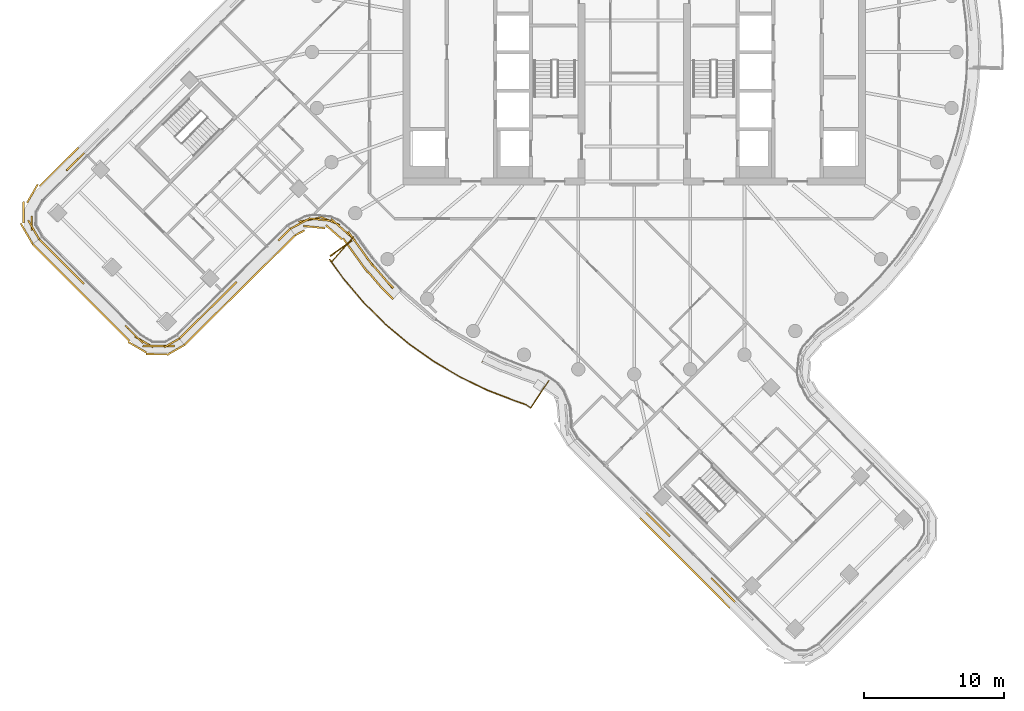
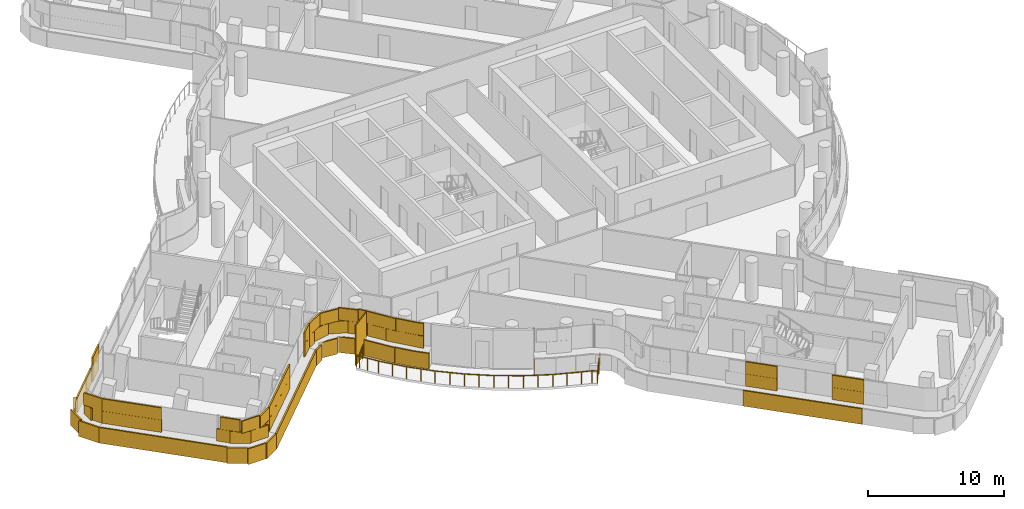
# One storey, part 24 of 31: 5 coverings, 1 railing, 1 shading device.
"""IFC4 building model written with IfcOpenShell, lengths in metres."""

from ifc_helpers import new_model, si_unit, direction, frame, origin, origin_2d, place, context, subcontext, project, spatial, rectangle, circle, extrude, material, layer, layer_set, type_object, element, save


model = new_model("IFC4")

# Units and contexts
model_context = context("Model", 3, precision=1e-05, world=origin(), true_north=direction((0.0, 1.0)))
body_context = subcontext(model_context, "Body", "Model", "MODEL_VIEW")
ifc_project = project(units=[si_unit("LENGTHUNIT", "METRE"), si_unit("AREAUNIT", "SQUARE_METRE"), si_unit("VOLUMEUNIT", "CUBIC_METRE"), si_unit("PLANEANGLEUNIT", "RADIAN"), si_unit("MASSUNIT", "GRAM", prefix="KILO")], contexts=[model_context])

# Site, building, storey
site_placement = place(None, origin())
site = spatial("IfcSite", under=ifc_project, at=site_placement, CompositionType="ELEMENT")
building_placement = place(site_placement, origin())
building = spatial("IfcBuilding", under=site, at=building_placement, Name="Tamarind Cross Interchange Tower", CompositionType="ELEMENT")
storey_placement = place(building_placement, frame((0.0, 0.0, 196.89990234375)))
storey = spatial("IfcBuildingStorey", under=building, at=storey_placement, Name="L49", CompositionType="ELEMENT", Elevation=196.89990234375)

# Railing
ifc_material_1 = material(Name="Stainless steel and laminated glass", Category="steel")
railing_type = type_object("IfcRailingType", Name="Balcony guard", PredefinedType="BALUSTRADE", material=ifc_material_1)
railing_placement = place(storey_placement, frame((-20.047119140625, -13.2080078125, 0.0)))
element("IfcRailing", 1, at=railing_placement, inside=storey, type_object=railing_type, Name="Balcony guard 10", PredefinedType="BALUSTRADE", context=body_context, shape_type="SweptSolid", body=[
    extrude(circle(Radius=0.02490234375, at=origin_2d()), frame((0.0, 0.0, 1.0751953125), z_axis=(-0.662977956452, -0.748638917809, 0.0), x_axis=(0.748638917809, -0.662977956452, 0.0)), (0.0, 0.0, 1.0), 2.320068359375),
    extrude(circle(Radius=0.02490234375, at=origin_2d()), frame((-1.5380859375, -1.73681640625, 1.0751953125), z_axis=(-0.748818985157, 0.662774567608, 0.0), x_axis=(-0.662774567608, -0.748818985157, 0.0)), (0.0, 0.0, 1.0), 0.2099609375),
    extrude(circle(Radius=0.02490234375, at=origin_2d()), frame((-1.6953125, -1.59765625, 1.0751953125), z_axis=(0.584596483779, -0.811324196085, 0.0), x_axis=(0.811324196085, 0.584596483779, 0.0)), (0.0, 0.0, 1.0), 1.785400390625),
    extrude(circle(Radius=0.02490234375, at=origin_2d()), frame((-0.651611328125, -3.046142578125, 1.0751953125), z_axis=(0.649598066146, -0.760277812684, 0.0), x_axis=(0.760277812684, 0.649598066146, 0.0)), (0.0, 0.0, 1.0), 2.175048828125),
    extrude(circle(Radius=0.02490234375, at=origin_2d()), frame((0.76123046875, -4.69970703125, 1.0751953125), z_axis=(0.710130717242, -0.704069857635, 0.0), x_axis=(0.704069857635, 0.710130717242, 0.0)), (0.0, 0.0, 1.0), 2.17529296875),
    extrude(circle(Radius=0.02490234375, at=origin_2d()), frame((2.305908203125, -6.231201171875, 1.0751953125), z_axis=(0.765879503455, -0.642984125922, 0.0), x_axis=(0.642984125922, 0.765879503455, 0.0)), (0.0, 0.0, 1.0), 2.17529296875),
    extrude(circle(Radius=0.02490234375, at=origin_2d()), frame((3.971923828125, -7.6298828125, 1.0751953125), z_axis=(0.81632657602, -0.577590617379, 0.0), x_axis=(0.577590617379, 0.81632657602, 0.0)), (0.0, 0.0, 1.0), 2.175048828125),
    extrude(circle(Radius=0.02490234375, at=origin_2d()), frame((5.74755859375, -8.88623046875, 1.0751953125), z_axis=(0.861223570169, -0.508226290333, 0.0), x_axis=(0.508226290333, 0.861223570169, 0.0)), (0.0, 0.0, 1.0), 2.175048828125),
    extrude(circle(Radius=0.02490234375, at=origin_2d()), frame((7.620849609375, -9.99169921875, 1.0751953125), z_axis=(0.90029690694, -0.435276325285, 0.0), x_axis=(0.435276325285, 0.90029690694, 0.0)), (0.0, 0.0, 1.0), 2.175048828125),
    extrude(circle(Radius=0.02490234375, at=origin_2d()), frame((9.5791015625, -10.9384765625, 1.0751953125), z_axis=(0.933140735543, -0.359511290045, 0.0), x_axis=(0.359511290045, 0.933140735543, 0.0)), (0.0, 0.0, 1.0), 2.120849609375),
    extrude(circle(Radius=0.02490234375, at=origin_2d()), frame((11.55810546875, -11.700927734375, 1.0751953125), z_axis=(0.945402411711, -0.325905323568, 0.0), x_axis=(0.325905323568, 0.945402411711, 0.0)), (0.0, 0.0, 1.0), 0.793212890625),
    extrude(circle(Radius=0.02490234375, at=origin_2d()), frame((12.30810546875, -11.95947265625, 1.0751953125), z_axis=(0.83078623313, -0.556591623042, 0.0), x_axis=(0.556591623042, 0.83078623313, 0.0)), (0.0, 0.0, 1.0), 0.416748046875),
    extrude(circle(Radius=0.02490234375, at=origin_2d()), frame((12.654296875, -12.19140625, 1.0751953125), z_axis=(0.556689966184, 0.830720338953, 0.0), x_axis=(-0.830720338953, 0.556689966184, 0.0)), (0.0, 0.0, 1.0), 2.320068359375),
    extrude(circle(Radius=0.02001953125, at=origin_2d()), origin(), (0.0, 0.0, 1.0), 1.050048828125),
    extrude(circle(Radius=0.02001953125, at=origin_2d()), frame((-0.76904296875, -0.868408203125, 0.0)), (0.0, 0.0, 1.0), 1.050048828125),
    extrude(circle(Radius=0.02001953125, at=origin_2d()), frame((-1.5380859375, -1.73681640625, 0.0)), (0.0, 0.0, 1.0), 1.050048828125),
    extrude(circle(Radius=0.02001953125, at=origin_2d()), frame((-1.6953125, -1.59765625, 0.0)), (0.0, 0.0, 1.0), 1.050048828125),
    extrude(circle(Radius=0.02001953125, at=origin_2d()), frame((-1.17333984375, -2.32177734375, 0.0)), (0.0, 0.0, 1.0), 1.050048828125),
    extrude(circle(Radius=0.02001953125, at=origin_2d()), frame((-0.651611328125, -3.046142578125, 0.0)), (0.0, 0.0, 1.0), 1.050048828125),
    extrude(circle(Radius=0.02001953125, at=origin_2d()), frame((0.0546875, -3.873046875, 0.0)), (0.0, 0.0, 1.0), 1.050048828125),
    extrude(circle(Radius=0.02001953125, at=origin_2d()), frame((0.76123046875, -4.69970703125, 0.0)), (0.0, 0.0, 1.0), 1.050048828125),
    extrude(circle(Radius=0.02001953125, at=origin_2d()), frame((1.53369140625, -5.46533203125, 0.0)), (0.0, 0.0, 1.0), 1.050048828125),
    extrude(circle(Radius=0.02001953125, at=origin_2d()), frame((2.305908203125, -6.231201171875, 0.0)), (0.0, 0.0, 1.0), 1.050048828125),
    extrude(circle(Radius=0.02001953125, at=origin_2d()), frame((3.138916015625, -6.9306640625, 0.0)), (0.0, 0.0, 1.0), 1.050048828125),
    extrude(circle(Radius=0.02001953125, at=origin_2d()), frame((3.971923828125, -7.6298828125, 0.0)), (0.0, 0.0, 1.0), 1.050048828125),
    extrude(circle(Radius=0.02001953125, at=origin_2d()), frame((4.85986328125, -8.258056640625, 0.0)), (0.0, 0.0, 1.0), 1.050048828125),
    extrude(circle(Radius=0.02001953125, at=origin_2d()), frame((5.74755859375, -8.88623046875, 0.0)), (0.0, 0.0, 1.0), 1.050048828125),
    extrude(circle(Radius=0.02001953125, at=origin_2d()), frame((6.68408203125, -9.43896484375, 0.0)), (0.0, 0.0, 1.0), 1.050048828125),
    extrude(circle(Radius=0.02001953125, at=origin_2d()), frame((7.620849609375, -9.99169921875, 0.0)), (0.0, 0.0, 1.0), 1.050048828125),
    extrude(circle(Radius=0.02001953125, at=origin_2d()), frame((8.60009765625, -10.465087890625, 0.0)), (0.0, 0.0, 1.0), 1.050048828125),
    extrude(circle(Radius=0.02001953125, at=origin_2d()), frame((9.5791015625, -10.9384765625, 0.0)), (0.0, 0.0, 1.0), 1.050048828125),
    extrude(circle(Radius=0.02001953125, at=origin_2d()), frame((10.568603515625, -11.31982421875, 0.0)), (0.0, 0.0, 1.0), 1.050048828125),
    extrude(circle(Radius=0.02001953125, at=origin_2d()), frame((11.55810546875, -11.700927734375, 0.0)), (0.0, 0.0, 1.0), 1.050048828125),
    extrude(circle(Radius=0.02001953125, at=origin_2d()), frame((12.30810546875, -11.95947265625, 0.0)), (0.0, 0.0, 1.0), 1.050048828125),
    extrude(circle(Radius=0.02001953125, at=origin_2d()), frame((12.654296875, -12.19140625, 0.0)), (0.0, 0.0, 1.0), 1.050048828125),
    extrude(circle(Radius=0.02001953125, at=origin_2d()), frame((13.300048828125, -11.227783203125, 0.0)), (0.0, 0.0, 1.0), 1.050048828125),
    extrude(circle(Radius=0.02001953125, at=origin_2d()), frame((13.94580078125, -10.26416015625, 0.0)), (0.0, 0.0, 1.0), 1.050048828125),
])

# Shading device
ifc_material_2 = material(Name="Bronze-finish aluminium louvre", Category="aluminium")
ifc_layer_1 = layer(ifc_material_2, 0.080078125)
ifc_layer_set_1 = layer_set([ifc_layer_1], Name="Bronze-finish aluminium louvre")
shading_device_type = type_object("IfcShadingDeviceType", Name="Operable louvre bay", PredefinedType="JALOUSIE", material=ifc_layer_set_1)
shading_device_placement = place(storey_placement, origin())
element("IfcShadingDevice", 2, at=shading_device_placement, inside=storey, type_object=shading_device_type, Name="LVR-L49-BAL10", PredefinedType="JALOUSIE", context=body_context, shape_type="SweptSolid", body=[
    extrude(rectangle(XDim=1.89990234375, YDim=0.080078125, at=origin_2d()), frame((-20.930908203125, -14.01611328125, 0.0), z_axis=(0.0, 0.0, 1.0), x_axis=(-0.811294273423, -0.584638009293, 0.0)), (0.0, 0.0, 1.0), 3.60009765625),
])

# Coverings
ifc_material_3 = material(Name="Terracotta", Category="masonry")
ifc_layer_2 = layer(ifc_material_3, 0.1201171875)
ifc_layer_set_2 = layer_set([ifc_layer_2], Name="Terracotta")
covering_type = type_object("IfcCoveringType", Name="Terracotta baguette screen unit", PredefinedType="MOLDING", material=ifc_layer_set_2)
covering_1_placement = place(storey_placement, origin())
element("IfcCovering", 3, at=covering_1_placement, inside=storey, type_object=covering_type, Name="SCR-L49-07-02", PredefinedType="MOLDING", context=body_context, shape_type="SweptSolid", body=[
    extrude(rectangle(XDim=1.009521484375, YDim=0.1201171875, at=origin_2d()), frame((-39.6142578125, -7.554931640625, 1.404296875), z_axis=(0.0, 0.0, 1.0), x_axis=(-0.708014520272, -0.706197875304, 0.0)), (0.0, 0.0, 1.0), 1.092041015625),
    extrude(rectangle(XDim=0.800537109375, YDim=0.1201171875, at=origin_2d()), frame((-40.247802734375, -8.18701171875, 1.404296875), z_axis=(0.0, 0.0, 1.0), x_axis=(-0.708014520272, -0.706197875304, 0.0)), (0.0, 0.0, 1.0), 1.092041015625),
    extrude(rectangle(XDim=1.01953125, YDim=0.1201171875, at=origin_2d()), frame((-43.0224609375, -12.214599609375, 1.404296875), z_axis=(0.0, 0.0, 1.0), x_axis=(-0.001284561976, -0.99999917495, 0.0)), (0.0, 0.0, 1.0), 1.092041015625),
    extrude(rectangle(XDim=0.79052734375, YDim=0.1201171875, at=origin_2d()), frame((-42.68310546875, -13.018798828125, 1.404296875), z_axis=(0.0, 0.0, 1.0), x_axis=(0.498887124171, -0.866666970258, 0.0)), (0.0, 0.0, 1.0), 1.092041015625),
    extrude(rectangle(XDim=0.259521484375, YDim=0.1201171875, at=origin_2d()), frame((-39.3486328125, -7.290283203125, 2.50390625), z_axis=(0.0, 0.0, 1.0), x_axis=(-0.708014520272, -0.706197875304, 0.0)), (0.0, 0.0, 1.0), 1.092041015625),
    extrude(rectangle(XDim=1.52001953125, YDim=0.1201171875, at=origin_2d()), frame((-39.968017578125, -7.907958984375, 2.50390625), z_axis=(0.0, 0.0, 1.0), x_axis=(-0.708014520272, -0.706197875304, 0.0)), (0.0, 0.0, 1.0), 1.092041015625),
    extrude(rectangle(XDim=1.52001953125, YDim=0.1201171875, at=origin_2d()), frame((-42.877685546875, -12.6806640625, 2.50390625), z_axis=(0.0, 0.0, 1.0), x_axis=(0.498887124171, -0.866666970258, 0.0)), (0.0, 0.0, 1.0), 1.092041015625),
    extrude(rectangle(XDim=0.04052734375, YDim=0.1201171875, at=origin_2d()), frame((-42.495849609375, -13.34375, 2.50390625), z_axis=(0.0, 0.0, 1.0), x_axis=(0.498887124171, -0.866666970258, 0.0)), (0.0, 0.0, 1.0), 1.092041015625),
    extrude(rectangle(XDim=0.8935546875, YDim=0.1201171875, at=origin_2d()), frame((-40.0126953125, -7.141845703125, 0.004150390625), z_axis=(0.0, 0.0, 1.0), x_axis=(-0.708014520272, -0.706197875304, 0.0)), (0.0, 0.0, 1.0), 1.39208984375),
    extrude(rectangle(XDim=1.52001953125, YDim=0.1201171875, at=origin_2d()), frame((-40.852783203125, -7.979736328125, 0.004150390625), z_axis=(0.0, 0.0, 1.0), x_axis=(-0.708014520272, -0.706197875304, 0.0)), (0.0, 0.0, 1.0), 1.39208984375),
    extrude(rectangle(XDim=1.52001953125, YDim=0.1201171875, at=origin_2d()), frame((-41.914794921875, -9.0390625, 0.004150390625), z_axis=(0.0, 0.0, 1.0), x_axis=(-0.708014520272, -0.706197875304, 0.0)), (0.0, 0.0, 1.0), 1.39208984375),
    extrude(rectangle(XDim=1.52001953125, YDim=0.1201171875, at=origin_2d()), frame((-42.967041015625, -10.10595703125, 0.004150390625), z_axis=(0.0, 0.0, 1.0), x_axis=(-0.501112050779, -0.865382408282, 0.0)), (0.0, 0.0, 1.0), 1.39208984375),
    extrude(rectangle(XDim=1.52001953125, YDim=0.1201171875, at=origin_2d()), frame((-43.595458984375, -11.437255859375, 0.004150390625), z_axis=(0.0, 0.0, 1.0), x_axis=(-0.001284561976, -0.99999917495, 0.0)), (0.0, 0.0, 1.0), 1.39208984375),
    extrude(rectangle(XDim=1.52001953125, YDim=0.1201171875, at=origin_2d()), frame((-43.419677734375, -12.889892578125, 0.004150390625), z_axis=(0.0, 0.0, 1.0), x_axis=(0.498887124171, -0.866666970258, 0.0)), (0.0, 0.0, 1.0), 1.39208984375),
    extrude(rectangle(XDim=0.205078125, YDim=0.1201171875, at=origin_2d()), frame((-42.999267578125, -13.6201171875, 0.004150390625), z_axis=(0.0, 0.0, 1.0), x_axis=(0.498887124171, -0.866666970258, 0.0)), (0.0, 0.0, 1.0), 1.39208984375),
])
covering_2_placement = place(storey_placement, origin())
element("IfcCovering", 4, at=covering_2_placement, inside=storey, type_object=covering_type, Name="SCR-L49-08-00", PredefinedType="MOLDING", context=body_context, shape_type="SweptSolid", body=[
    extrude(rectangle(XDim=0.760009765625, YDim=0.1201171875, at=origin_2d()), frame((-42.2236328125, -13.62255859375, 1.404296875), z_axis=(0.0, 0.0, 1.0), x_axis=(0.706197875304, -0.708014520272, 0.0)), (0.0, 0.0, 1.0), 1.092041015625),
    extrude(rectangle(XDim=1.52001953125, YDim=0.1201171875, at=origin_2d()), frame((-41.428955078125, -14.4189453125, 1.404296875), z_axis=(0.0, 0.0, 1.0), x_axis=(0.706197875304, -0.708014520272, 0.0)), (0.0, 0.0, 1.0), 1.092041015625),
    extrude(rectangle(XDim=1.52001953125, YDim=0.1201171875, at=origin_2d()), frame((-40.36962890625, -15.48095703125, 1.404296875), z_axis=(0.0, 0.0, 1.0), x_axis=(0.706197875304, -0.708014520272, 0.0)), (0.0, 0.0, 1.0), 1.092041015625),
    extrude(rectangle(XDim=0.78466796875, YDim=0.1201171875, at=origin_2d()), frame((-39.566650390625, -16.286376953125, 1.404296875), z_axis=(0.0, 0.0, 1.0), x_axis=(0.706197875304, -0.708014520272, 0.0)), (0.0, 0.0, 1.0), 1.092041015625),
    extrude(rectangle(XDim=1.03515625, YDim=0.1201171875, at=origin_2d()), frame((-35.96484375, -19.897216796875, 1.404296875), z_axis=(0.0, 0.0, 1.0), x_axis=(0.706197875304, -0.708014520272, 0.0)), (0.0, 0.0, 1.0), 1.092041015625),
    extrude(rectangle(XDim=1.52001953125, YDim=0.1201171875, at=origin_2d()), frame((-34.99755859375, -20.692626953125, 1.404296875), z_axis=(0.0, 0.0, 1.0), x_axis=(0.865382408282, -0.501112050779, 0.0)), (0.0, 0.0, 1.0), 1.092041015625),
    extrude(rectangle(XDim=1.52001953125, YDim=0.1201171875, at=origin_2d()), frame((-33.57763671875, -20.991943359375, 1.404296875), z_axis=(0.0, 0.0, 1.0), x_axis=(0.99999917495, -0.001284561976, 0.0)), (0.0, 0.0, 1.0), 1.092041015625),
    extrude(rectangle(XDim=0.509521484375, YDim=0.1201171875, at=origin_2d()), frame((-32.687255859375, -20.58251953125, 1.404296875), z_axis=(0.0, 0.0, 1.0), x_axis=(0.866666970258, 0.498887124171, 0.0)), (0.0, 0.0, 1.0), 1.092041015625),
    extrude(rectangle(XDim=1.510009765625, YDim=0.1201171875, at=origin_2d()), frame((-41.958740234375, -13.887939453125, 2.50390625), z_axis=(0.0, 0.0, 1.0), x_axis=(0.706197875304, -0.708014520272, 0.0)), (0.0, 0.0, 1.0), 1.092041015625),
    extrude(rectangle(XDim=1.52001953125, YDim=0.1201171875, at=origin_2d()), frame((-40.8994140625, -14.949951171875, 2.50390625), z_axis=(0.0, 0.0, 1.0), x_axis=(0.706197875304, -0.708014520272, 0.0)), (0.0, 0.0, 1.0), 1.092041015625),
    extrude(rectangle(XDim=1.52001953125, YDim=0.1201171875, at=origin_2d()), frame((-39.840087890625, -16.01220703125, 2.50390625), z_axis=(0.0, 0.0, 1.0), x_axis=(0.706197875304, -0.708014520272, 0.0)), (0.0, 0.0, 1.0), 1.092041015625),
    extrude(rectangle(XDim=1.52001953125, YDim=0.1201171875, at=origin_2d()), frame((-35.60302734375, -20.26025390625, 2.50390625), z_axis=(0.0, 0.0, 1.0), x_axis=(0.706197875304, -0.708014520272, 0.0)), (0.0, 0.0, 1.0), 1.092041015625),
    extrude(rectangle(XDim=1.52001953125, YDim=0.1201171875, at=origin_2d()), frame((-34.32763671875, -20.990966796875, 2.50390625), z_axis=(0.0, 0.0, 1.0), x_axis=(0.99999917495, -0.001284561976, 0.0)), (0.0, 0.0, 1.0), 1.092041015625),
    extrude(rectangle(XDim=1.259521484375, YDim=0.1201171875, at=origin_2d()), frame((-33.01220703125, -20.76953125, 2.50390625), z_axis=(0.0, 0.0, 1.0), x_axis=(0.866666970258, 0.498887124171, 0.0)), (0.0, 0.0, 1.0), 1.092041015625),
    extrude(rectangle(XDim=0.760009765625, YDim=0.1201171875, at=origin_2d()), frame((-42.6796875, -13.97802734375, 0.004150390625), z_axis=(0.0, 0.0, 1.0), x_axis=(0.706197875304, -0.708014520272, 0.0)), (0.0, 0.0, 1.0), 1.39208984375),
    extrude(rectangle(XDim=1.52001953125, YDim=0.1201171875, at=origin_2d()), frame((-41.888916015625, -14.77099609375, 0.004150390625), z_axis=(0.0, 0.0, 1.0), x_axis=(0.706197875304, -0.708014520272, 0.0)), (0.0, 0.0, 1.0), 1.39208984375),
    extrude(rectangle(XDim=1.52001953125, YDim=0.1201171875, at=origin_2d()), frame((-40.82958984375, -15.8330078125, 0.004150390625), z_axis=(0.0, 0.0, 1.0), x_axis=(0.706197875304, -0.708014520272, 0.0)), (0.0, 0.0, 1.0), 1.39208984375),
    extrude(rectangle(XDim=1.52001953125, YDim=0.1201171875, at=origin_2d()), frame((-39.770263671875, -16.89501953125, 0.004150390625), z_axis=(0.0, 0.0, 1.0), x_axis=(0.706197875304, -0.708014520272, 0.0)), (0.0, 0.0, 1.0), 1.39208984375),
    extrude(rectangle(XDim=1.52001953125, YDim=0.1201171875, at=origin_2d()), frame((-38.7109375, -17.95703125, 0.004150390625), z_axis=(0.0, 0.0, 1.0), x_axis=(0.706197875304, -0.708014520272, 0.0)), (0.0, 0.0, 1.0), 1.39208984375),
    extrude(rectangle(XDim=1.52001953125, YDim=0.1201171875, at=origin_2d()), frame((-37.651611328125, -19.01904296875, 0.004150390625), z_axis=(0.0, 0.0, 1.0), x_axis=(0.706197875304, -0.708014520272, 0.0)), (0.0, 0.0, 1.0), 1.39208984375),
    extrude(rectangle(XDim=1.52001953125, YDim=0.1201171875, at=origin_2d()), frame((-36.59228515625, -20.0810546875, 0.004150390625), z_axis=(0.0, 0.0, 1.0), x_axis=(0.706197875304, -0.708014520272, 0.0)), (0.0, 0.0, 1.0), 1.39208984375),
    extrude(rectangle(XDim=1.52001953125, YDim=0.1201171875, at=origin_2d()), frame((-35.481201171875, -21.07568359375, 0.004150390625), z_axis=(0.0, 0.0, 1.0), x_axis=(0.865382408282, -0.501112050779, 0.0)), (0.0, 0.0, 1.0), 1.39208984375),
    extrude(rectangle(XDim=1.52001953125, YDim=0.1201171875, at=origin_2d()), frame((-34.112548828125, -21.565185546875, 0.004150390625), z_axis=(0.0, 0.0, 1.0), x_axis=(0.99999917495, -0.001284561976, 0.0)), (0.0, 0.0, 1.0), 1.39208984375),
    extrude(rectangle(XDim=1.42578125, YDim=0.1201171875, at=origin_2d()), frame((-32.73779296875, -21.27392578125, 0.004150390625), z_axis=(0.0, 0.0, 1.0), x_axis=(0.866666970258, 0.498887124171, 0.0)), (0.0, 0.0, 1.0), 1.39208984375),
])
covering_3_placement = place(storey_placement, origin())
element("IfcCovering", 5, at=covering_3_placement, inside=storey, type_object=covering_type, Name="SCR-L49-09-00", PredefinedType="MOLDING", context=body_context, shape_type="SweptSolid", body=[
    extrude(rectangle(XDim=0.760009765625, YDim=0.1201171875, at=origin_2d()), frame((-32.204345703125, -20.194091796875, 1.404296875), z_axis=(0.0, 0.0, 1.0), x_axis=(0.710750718006, 0.703443968525, 0.0)), (0.0, 0.0, 1.0), 1.092041015625),
    extrude(rectangle(XDim=1.52001953125, YDim=0.1201171875, at=origin_2d()), frame((-31.40478515625, -19.402587890625, 1.404296875), z_axis=(0.0, 0.0, 1.0), x_axis=(0.710750718006, 0.703443968525, 0.0)), (0.0, 0.0, 1.0), 1.092041015625),
    extrude(rectangle(XDim=1.52001953125, YDim=0.1201171875, at=origin_2d()), frame((-30.338623046875, -18.347412109375, 1.404296875), z_axis=(0.0, 0.0, 1.0), x_axis=(0.710750718006, 0.703443968525, 0.0)), (0.0, 0.0, 1.0), 1.092041015625),
    extrude(rectangle(XDim=1.52001953125, YDim=0.1201171875, at=origin_2d()), frame((-29.2724609375, -17.292236328125, 1.404296875), z_axis=(0.0, 0.0, 1.0), x_axis=(0.710750718006, 0.703443968525, 0.0)), (0.0, 0.0, 1.0), 1.092041015625),
    extrude(rectangle(XDim=0.5048828125, YDim=0.1201171875, at=origin_2d()), frame((-28.5634765625, -16.590576171875, 1.404296875), z_axis=(0.0, 0.0, 1.0), x_axis=(0.710750718006, 0.703443968525, 0.0)), (0.0, 0.0, 1.0), 1.092041015625),
    extrude(rectangle(XDim=1.19677734375, YDim=0.1201171875, at=origin_2d()), frame((-24.97705078125, -13.041259765625, 1.404296875), z_axis=(0.0, 0.0, 1.0), x_axis=(0.710750718006, 0.703443968525, 0.0)), (0.0, 0.0, 1.0), 1.092041015625),
    extrude(rectangle(XDim=1.510009765625, YDim=0.1201171875, at=origin_2d()), frame((-31.937744140625, -19.93017578125, 2.50390625), z_axis=(0.0, 0.0, 1.0), x_axis=(0.710750718006, 0.703443968525, 0.0)), (0.0, 0.0, 1.0), 1.092041015625),
    extrude(rectangle(XDim=1.52001953125, YDim=0.1201171875, at=origin_2d()), frame((-30.87158203125, -18.875, 2.50390625), z_axis=(0.0, 0.0, 1.0), x_axis=(0.710750718006, 0.703443968525, 0.0)), (0.0, 0.0, 1.0), 1.092041015625),
    extrude(rectangle(XDim=1.52001953125, YDim=0.1201171875, at=origin_2d()), frame((-29.805419921875, -17.81982421875, 2.50390625), z_axis=(0.0, 0.0, 1.0), x_axis=(0.710750718006, 0.703443968525, 0.0)), (0.0, 0.0, 1.0), 1.092041015625),
    extrude(rectangle(XDim=1.2548828125, YDim=0.1201171875, at=origin_2d()), frame((-28.830078125, -16.8544921875, 2.50390625), z_axis=(0.0, 0.0, 1.0), x_axis=(0.710750718006, 0.703443968525, 0.0)), (0.0, 0.0, 1.0), 1.092041015625),
    extrude(rectangle(XDim=0.565185546875, YDim=0.1201171875, at=origin_2d()), frame((-25.205322265625, -13.266845703125, 2.50390625), z_axis=(0.0, 0.0, 1.0), x_axis=(0.710750718006, 0.703443968525, 0.0)), (0.0, 0.0, 1.0), 1.092041015625),
    extrude(rectangle(XDim=0.65185546875, YDim=0.1201171875, at=origin_2d()), frame((-24.77978515625, -12.845947265625, 2.50390625), z_axis=(0.0, 0.0, 1.0), x_axis=(0.710750718006, 0.703443968525, 0.0)), (0.0, 0.0, 1.0), 1.092041015625),
    extrude(rectangle(XDim=0.760009765625, YDim=0.1201171875, at=origin_2d()), frame((-31.849853515625, -20.65087890625, 0.004150390625), z_axis=(0.0, 0.0, 1.0), x_axis=(0.710750718006, 0.703443968525, 0.0)), (0.0, 0.0, 1.0), 1.39208984375),
    extrude(rectangle(XDim=1.52001953125, YDim=0.1201171875, at=origin_2d()), frame((-31.053955078125, -19.863037109375, 0.004150390625), z_axis=(0.0, 0.0, 1.0), x_axis=(0.710750718006, 0.703443968525, 0.0)), (0.0, 0.0, 1.0), 1.39208984375),
    extrude(rectangle(XDim=1.52001953125, YDim=0.1201171875, at=origin_2d()), frame((-29.98779296875, -18.807861328125, 0.004150390625), z_axis=(0.0, 0.0, 1.0), x_axis=(0.710750718006, 0.703443968525, 0.0)), (0.0, 0.0, 1.0), 1.39208984375),
    extrude(rectangle(XDim=1.52001953125, YDim=0.1201171875, at=origin_2d()), frame((-28.921630859375, -17.752685546875, 0.004150390625), z_axis=(0.0, 0.0, 1.0), x_axis=(0.710750718006, 0.703443968525, 0.0)), (0.0, 0.0, 1.0), 1.39208984375),
    extrude(rectangle(XDim=1.52001953125, YDim=0.1201171875, at=origin_2d()), frame((-27.85546875, -16.697509765625, 0.004150390625), z_axis=(0.0, 0.0, 1.0), x_axis=(0.710750718006, 0.703443968525, 0.0)), (0.0, 0.0, 1.0), 1.39208984375),
    extrude(rectangle(XDim=1.52001953125, YDim=0.1201171875, at=origin_2d()), frame((-26.789306640625, -15.642333984375, 0.004150390625), z_axis=(0.0, 0.0, 1.0), x_axis=(0.710750718006, 0.703443968525, 0.0)), (0.0, 0.0, 1.0), 1.39208984375),
    extrude(rectangle(XDim=1.52001953125, YDim=0.1201171875, at=origin_2d()), frame((-25.72314453125, -14.587158203125, 0.004150390625), z_axis=(0.0, 0.0, 1.0), x_axis=(0.710750718006, 0.703443968525, 0.0)), (0.0, 0.0, 1.0), 1.39208984375),
    extrude(rectangle(XDim=1.3916015625, YDim=0.1201171875, at=origin_2d()), frame((-24.70263671875, -13.5771484375, 0.004150390625), z_axis=(0.0, 0.0, 1.0), x_axis=(0.710750718006, 0.703443968525, 0.0)), (0.0, 0.0, 1.0), 1.39208984375),
])
covering_4_placement = place(storey_placement, origin())
element("IfcCovering", 6, at=covering_4_placement, inside=storey, type_object=covering_type, Name="SCR-L49-10-00", PredefinedType="MOLDING", context=body_context, shape_type="SweptSolid", body=[
    extrude(rectangle(XDim=0.760009765625, YDim=0.1201171875, at=origin_2d()), frame((-24.220703125, -12.4443359375, 1.404296875), z_axis=(0.0, 0.0, 1.0), x_axis=(0.883234355548, 0.468931842788, 0.0)), (0.0, 0.0, 1.0), 1.092041015625),
    extrude(rectangle(XDim=1.52001953125, YDim=0.1201171875, at=origin_2d()), frame((-23.205078125, -11.978759765625, 1.404296875), z_axis=(0.0, 0.0, 1.0), x_axis=(0.981615309516, 0.190870071313, 0.0)), (0.0, 0.0, 1.0), 1.092041015625),
    extrude(rectangle(XDim=1.52001953125, YDim=0.1201171875, at=origin_2d()), frame((-21.72119140625, -12.0546875, 1.404296875), z_axis=(0.0, 0.0, 1.0), x_axis=(0.921054480187, -0.389433748572, 0.0)), (0.0, 0.0, 1.0), 1.092041015625),
    extrude(rectangle(XDim=1.52001953125, YDim=0.1201171875, at=origin_2d()), frame((-20.513671875, -12.915283203125, 1.404296875), z_axis=(0.0, 0.0, 1.0), x_axis=(0.748635979625, -0.662981274254, 0.0)), (0.0, 0.0, 1.0), 1.092041015625),
    extrude(rectangle(XDim=1.52001953125, YDim=0.1201171875, at=origin_2d()), frame((-19.541259765625, -14.0458984375, 1.404296875), z_axis=(0.0, 0.0, 1.0), x_axis=(0.584638009293, -0.811294273423, 0.0)), (0.0, 0.0, 1.0), 1.092041015625),
    extrude(rectangle(XDim=1.52001953125, YDim=0.1201171875, at=origin_2d()), frame((-18.63330078125, -15.238525390625, 1.404296875), z_axis=(0.0, 0.0, 1.0), x_axis=(0.64957723968, -0.760295606781, 0.0)), (0.0, 0.0, 1.0), 1.092041015625),
    extrude(rectangle(XDim=1.403564453125, YDim=0.1201171875, at=origin_2d()), frame((-17.693603515625, -16.33837890625, 1.404296875), z_axis=(0.0, 0.0, 1.0), x_axis=(0.64957723968, -0.760295606781, 0.0)), (0.0, 0.0, 1.0), 1.092041015625),
    extrude(rectangle(XDim=1.510009765625, YDim=0.1201171875, at=origin_2d()), frame((-23.889404296875, -12.2685546875, 2.50390625), z_axis=(0.0, 0.0, 1.0), x_axis=(0.883234355548, 0.468931842788, 0.0)), (0.0, 0.0, 1.0), 1.092041015625),
    extrude(rectangle(XDim=1.52001953125, YDim=0.1201171875, at=origin_2d()), frame((-22.46337890625, -11.962158203125, 2.50390625), z_axis=(0.0, 0.0, 1.0), x_axis=(0.994598518501, -0.10379685446, 0.0)), (0.0, 0.0, 1.0), 1.092041015625),
    extrude(rectangle(XDim=1.52001953125, YDim=0.1201171875, at=origin_2d()), frame((-21.0751953125, -12.41796875, 2.50390625), z_axis=(0.0, 0.0, 1.0), x_axis=(0.748635979625, -0.662981274254, 0.0)), (0.0, 0.0, 1.0), 1.092041015625),
    extrude(rectangle(XDim=1.52001953125, YDim=0.1201171875, at=origin_2d()), frame((-19.979736328125, -13.4375, 2.50390625), z_axis=(0.0, 0.0, 1.0), x_axis=(0.584638009293, -0.811294273423, 0.0)), (0.0, 0.0, 1.0), 1.092041015625),
    extrude(rectangle(XDim=1.52001953125, YDim=0.1201171875, at=origin_2d()), frame((-19.102783203125, -14.654296875, 2.50390625), z_axis=(0.0, 0.0, 1.0), x_axis=(0.584638009293, -0.811294273423, 0.0)), (0.0, 0.0, 1.0), 1.092041015625),
    extrude(rectangle(XDim=1.52001953125, YDim=0.1201171875, at=origin_2d()), frame((-18.146240234375, -15.80859375, 2.50390625), z_axis=(0.0, 0.0, 1.0), x_axis=(0.64957723968, -0.760295606781, 0.0)), (0.0, 0.0, 1.0), 1.092041015625),
    extrude(rectangle(XDim=0.653564453125, YDim=0.1201171875, at=origin_2d()), frame((-17.431396484375, -16.606201171875, 2.50390625), z_axis=(0.0, 0.0, 1.0), x_axis=(0.710143317658, -0.704057148523, 0.0)), (0.0, 0.0, 1.0), 1.092041015625),
    extrude(rectangle(XDim=0.760009765625, YDim=0.1201171875, at=origin_2d()), frame((-23.87255859375, -12.909423828125, 0.004150390625), z_axis=(0.0, 0.0, 1.0), x_axis=(0.883234355548, 0.468931842788, 0.0)), (0.0, 0.0, 1.0), 1.39208984375),
    extrude(rectangle(XDim=1.52001953125, YDim=0.1201171875, at=origin_2d()), frame((-22.84423828125, -12.49951171875, 0.004150390625), z_axis=(0.0, 0.0, 1.0), x_axis=(0.994598518501, -0.10379685446, 0.0)), (0.0, 0.0, 1.0), 1.39208984375),
    extrude(rectangle(XDim=1.52001953125, YDim=0.1201171875, at=origin_2d()), frame((-21.4287109375, -12.87158203125, 0.004150390625), z_axis=(0.0, 0.0, 1.0), x_axis=(0.748635979625, -0.662981274254, 0.0)), (0.0, 0.0, 1.0), 1.39208984375),
    extrude(rectangle(XDim=1.52001953125, YDim=0.1201171875, at=origin_2d()), frame((-20.349853515625, -13.90576171875, 0.004150390625), z_axis=(0.0, 0.0, 1.0), x_axis=(0.584638009293, -0.811294273423, 0.0)), (0.0, 0.0, 1.0), 1.39208984375),
    extrude(rectangle(XDim=1.52001953125, YDim=0.1201171875, at=origin_2d()), frame((-19.472900390625, -15.122802734375, 0.004150390625), z_axis=(0.0, 0.0, 1.0), x_axis=(0.584638009293, -0.811294273423, 0.0)), (0.0, 0.0, 1.0), 1.39208984375),
    extrude(rectangle(XDim=1.52001953125, YDim=0.1201171875, at=origin_2d()), frame((-18.507080078125, -16.27001953125, 0.004150390625), z_axis=(0.0, 0.0, 1.0), x_axis=(0.64957723968, -0.760295606781, 0.0)), (0.0, 0.0, 1.0), 1.39208984375),
    extrude(rectangle(XDim=1.13671875, YDim=0.1201171875, at=origin_2d()), frame((-17.61865234375, -17.228759765625, 0.004150390625), z_axis=(0.0, 0.0, 1.0), x_axis=(0.710143317658, -0.704057148523, 0.0)), (0.0, 0.0, 1.0), 1.39208984375),
    extrude(rectangle(XDim=0.03076171875, YDim=0.1201171875, at=origin_2d()), frame((-10.86328125, -22.115966796875, 0.004150390625), z_axis=(0.0, 0.0, 1.0), x_axis=(0.900272776334, -0.435326231914, 0.0)), (0.0, 0.0, 1.0), 1.39208984375),
])
covering_5_placement = place(storey_placement, origin())
element("IfcCovering", 7, at=covering_5_placement, inside=storey, type_object=covering_type, Name="SCR-L49-11-01", PredefinedType="MOLDING", context=body_context, shape_type="SweptSolid", body=[
    extrude(rectangle(XDim=1.01953125, YDim=0.1201171875, at=origin_2d()), frame((1.19580078125, -33.238525390625, 1.404296875), z_axis=(0.0, 0.0, 1.0), x_axis=(0.706197875304, -0.708014520272, 0.0)), (0.0, 0.0, 1.0), 1.092041015625),
    extrude(rectangle(XDim=1.405517578125, YDim=0.1201171875, at=origin_2d()), frame((2.044921875, -34.08984375, 1.404296875), z_axis=(0.0, 0.0, 1.0), x_axis=(0.706197875304, -0.708014520272, 0.0)), (0.0, 0.0, 1.0), 1.092041015625),
    extrude(rectangle(XDim=0.41455078125, YDim=0.1201171875, at=origin_2d()), frame((5.646484375, -37.70068359375, 1.404296875), z_axis=(0.0, 0.0, 1.0), x_axis=(0.706197875304, -0.708014520272, 0.0)), (0.0, 0.0, 1.0), 1.092041015625),
    extrude(rectangle(XDim=1.52001953125, YDim=0.1201171875, at=origin_2d()), frame((6.319091796875, -38.375, 1.404296875), z_axis=(0.0, 0.0, 1.0), x_axis=(0.706197875304, -0.708014520272, 0.0)), (0.0, 0.0, 1.0), 1.092041015625),
    extrude(rectangle(XDim=0.510498046875, YDim=0.1201171875, at=origin_2d()), frame((7.025390625, -39.083251953125, 1.404296875), z_axis=(0.0, 0.0, 1.0), x_axis=(0.706197875304, -0.708014520272, 0.0)), (0.0, 0.0, 1.0), 1.092041015625),
    extrude(rectangle(XDim=0.26953125, YDim=0.1201171875, at=origin_2d()), frame((0.930908203125, -32.972900390625, 2.50390625), z_axis=(0.0, 0.0, 1.0), x_axis=(0.706197875304, -0.708014520272, 0.0)), (0.0, 0.0, 1.0), 1.092041015625),
    extrude(rectangle(XDim=1.52001953125, YDim=0.1201171875, at=origin_2d()), frame((1.55224609375, -33.595947265625, 2.50390625), z_axis=(0.0, 0.0, 1.0), x_axis=(0.706197875304, -0.708014520272, 0.0)), (0.0, 0.0, 1.0), 1.092041015625),
    extrude(rectangle(XDim=0.655517578125, YDim=0.1201171875, at=origin_2d()), frame((2.309814453125, -34.35546875, 2.50390625), z_axis=(0.0, 0.0, 1.0), x_axis=(0.706197875304, -0.708014520272, 0.0)), (0.0, 0.0, 1.0), 1.092041015625),
    extrude(rectangle(XDim=1.16455078125, YDim=0.1201171875, at=origin_2d()), frame((5.911376953125, -37.96630859375, 2.50390625), z_axis=(0.0, 0.0, 1.0), x_axis=(0.706197875304, -0.708014520272, 0.0)), (0.0, 0.0, 1.0), 1.092041015625),
    extrude(rectangle(XDim=1.260498046875, YDim=0.1201171875, at=origin_2d()), frame((6.760498046875, -38.817626953125, 2.50390625), z_axis=(0.0, 0.0, 1.0), x_axis=(0.706197875304, -0.708014520272, 0.0)), (0.0, 0.0, 1.0), 1.092041015625),
    extrude(rectangle(XDim=0.968017578125, YDim=0.1201171875, at=origin_2d()), frame((0.759765625, -33.6142578125, 0.004150390625), z_axis=(0.0, 0.0, 1.0), x_axis=(0.706197875304, -0.708014520272, 0.0)), (0.0, 0.0, 1.0), 1.39208984375),
    extrude(rectangle(XDim=1.52001953125, YDim=0.1201171875, at=origin_2d()), frame((1.6240234375, -34.480712890625, 0.004150390625), z_axis=(0.0, 0.0, 1.0), x_axis=(0.706197875304, -0.708014520272, 0.0)), (0.0, 0.0, 1.0), 1.39208984375),
    extrude(rectangle(XDim=1.52001953125, YDim=0.1201171875, at=origin_2d()), frame((2.683349609375, -35.542724609375, 0.004150390625), z_axis=(0.0, 0.0, 1.0), x_axis=(0.706197875304, -0.708014520272, 0.0)), (0.0, 0.0, 1.0), 1.39208984375),
    extrude(rectangle(XDim=1.52001953125, YDim=0.1201171875, at=origin_2d()), frame((3.74267578125, -36.604736328125, 0.004150390625), z_axis=(0.0, 0.0, 1.0), x_axis=(0.706197875304, -0.708014520272, 0.0)), (0.0, 0.0, 1.0), 1.39208984375),
    extrude(rectangle(XDim=1.52001953125, YDim=0.1201171875, at=origin_2d()), frame((4.802001953125, -37.666748046875, 0.004150390625), z_axis=(0.0, 0.0, 1.0), x_axis=(0.706197875304, -0.708014520272, 0.0)), (0.0, 0.0, 1.0), 1.39208984375),
    extrude(rectangle(XDim=1.52001953125, YDim=0.1201171875, at=origin_2d()), frame((5.861328125, -38.728759765625, 0.004150390625), z_axis=(0.0, 0.0, 1.0), x_axis=(0.706197875304, -0.708014520272, 0.0)), (0.0, 0.0, 1.0), 1.39208984375),
    extrude(rectangle(XDim=0.62646484375, YDim=0.1201171875, at=origin_2d()), frame((6.60498046875, -39.474609375, 0.004150390625), z_axis=(0.0, 0.0, 1.0), x_axis=(0.706197875304, -0.708014520272, 0.0)), (0.0, 0.0, 1.0), 1.39208984375),
])

save(model, "model.ifc")
